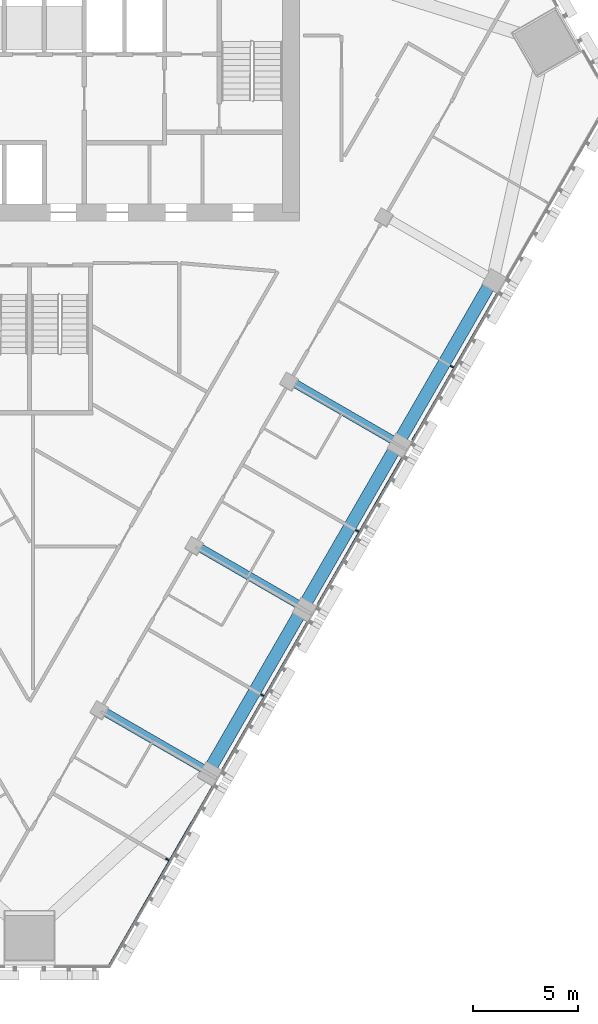
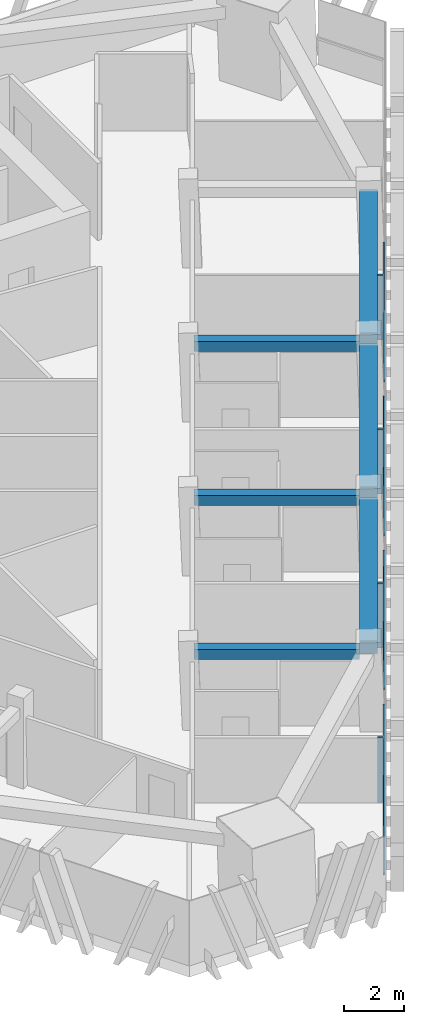
# One storey, part 4 of 16: 8 members, 6 beams, 1 element without a shape of its own.
"""IFC4 building model written with IfcOpenShell, lengths in metres."""

from ifc_helpers import new_model, si_unit, direction, frame, origin, origin_2d, place, context, subcontext, project, spatial, rectangle, extrude, material, layer, layer_set, material_profile, profile_set, type_object, element, aggregate, save


model = new_model("IFC4")

# Units and contexts
model_context = context("Model", 3, precision=1e-05, world=origin(), true_north=direction((0.0, 1.0)))
body_context = subcontext(model_context, "Body", "Model", "MODEL_VIEW")
ifc_project = project(units=[si_unit("LENGTHUNIT", "METRE"), si_unit("AREAUNIT", "SQUARE_METRE"), si_unit("VOLUMEUNIT", "CUBIC_METRE"), si_unit("PLANEANGLEUNIT", "RADIAN"), si_unit("MASSUNIT", "GRAM", prefix="KILO")], contexts=[model_context])

# Site, building, storey
site_placement = place(None, origin())
site = spatial("IfcSite", under=ifc_project, at=site_placement, CompositionType="ELEMENT")
building_placement = place(site_placement, origin())
building = spatial("IfcBuilding", under=site, at=building_placement, Name="Altiplano Prism Tower", CompositionType="ELEMENT")
storey_placement = place(building_placement, frame((0.0, 0.0, 138.60009765625)))
storey = spatial("IfcBuildingStorey", under=building, at=storey_placement, Name="L35", CompositionType="ELEMENT", Elevation=138.60009765625)

# Curtain wall, members
ifc_material_1 = material(Name="Aluminium and glass", Category="aluminium")
ifc_layer = layer(ifc_material_1, 0.280029296875)
ifc_layer_set = layer_set([ifc_layer], Name="Aluminium and glass")
curtain_wall_type = type_object("IfcCurtainWallType", Name="CW1 typical co-living unitised curtain wall", PredefinedType="NOTDEFINED", material=ifc_layer_set)
curtain_wall_placement = place(storey_placement, origin())
curtain_wall = element("IfcCurtainWall", 1, at=curtain_wall_placement, inside=storey, type_object=curtain_wall_type, Name="CW1 curtain wall south-east face L35", PredefinedType="NOTDEFINED")
ifc_material_2 = material(Name="Aluminium", Category="aluminium")
ifc_material_profile_1 = material_profile(ifc_material_2, rectangle(XDim=0.179931640625, YDim=0.06494140625, at=origin_2d()), Name="CW1 mullion 65 x 180")
ifc_profile_set_1 = profile_set([ifc_material_profile_1], Name="Aluminium")
member_type_1 = type_object("IfcMemberType", Name="CW1 mullion 65 x 180", PredefinedType="MULLION", material=ifc_profile_set_1)
member_1_placement = place(storey_placement, frame((91.542236328125, 62.301513671875, 0.0), z_axis=(0.0, 0.0, 1.0), x_axis=(-0.866025409553, 0.499999990009, 0.0)))
member_1 = element("IfcMember", 2, at=member_1_placement, type_object=member_type_1, Name="CW1 mullion", PredefinedType="MULLION", context=body_context, shape_type="SweptSolid", body=[
    extrude(rectangle(XDim=0.179931640625, YDim=0.06494140625, at=origin_2d()), origin(), (0.0, 0.0, 1.0), 2.64990234375),
])
member_2_placement = place(storey_placement, frame((96.042236328125, 70.095703125, 0.0), z_axis=(0.0, 0.0, 1.0), x_axis=(-0.866025409553, 0.499999990009, 0.0)))
member_2 = element("IfcMember", 3, at=member_2_placement, type_object=member_type_1, Name="CW1 mullion", PredefinedType="MULLION", context=body_context, shape_type="SweptSolid", body=[
    extrude(rectangle(XDim=0.179931640625, YDim=0.06494140625, at=origin_2d()), origin(), (0.0, 0.0, 1.0), 2.64990234375),
])
member_3_placement = place(storey_placement, frame((100.542236328125, 77.889892578125, 0.0), z_axis=(0.0, 0.0, 1.0), x_axis=(-0.866025409553, 0.499999990009, 0.0)))
member_3 = element("IfcMember", 4, at=member_3_placement, type_object=member_type_1, Name="CW1 mullion", PredefinedType="MULLION", context=body_context, shape_type="SweptSolid", body=[
    extrude(rectangle(XDim=0.179931640625, YDim=0.06494140625, at=origin_2d()), origin(), (0.0, 0.0, 1.0), 2.64990234375),
])
member_4_placement = place(storey_placement, frame((105.042236328125, 85.68408203125, 0.0), z_axis=(0.0, 0.0, 1.0), x_axis=(-0.866025409553, 0.499999990009, 0.0)))
member_4 = element("IfcMember", 5, at=member_4_placement, type_object=member_type_1, Name="CW1 mullion", PredefinedType="MULLION", context=body_context, shape_type="SweptSolid", body=[
    extrude(rectangle(XDim=0.179931640625, YDim=0.06494140625, at=origin_2d()), origin(), (0.0, 0.0, 1.0), 2.64990234375),
])
ifc_material_profile_2 = material_profile(ifc_material_2, rectangle(XDim=0.06005859375, YDim=0.080078125, at=origin_2d()), Name="CW1 transom 80 x 60")
ifc_profile_set_2 = profile_set([ifc_material_profile_2], Name="Aluminium")
member_type_2 = type_object("IfcMemberType", Name="CW1 transom 80 x 60", PredefinedType="USERDEFINED", material=ifc_profile_set_2)
member_5_placement = place(storey_placement, frame((88.746337890625, 57.21875, 1.099853515625), z_axis=(0.499994983316, 0.866028300149, 0.0), x_axis=(-0.866028300149, 0.499994983316, 0.0)))
member_5 = element("IfcMember", 6, at=member_5_placement, type_object=member_type_2, Name="CW1 transom", ObjectType="TRANSOM", PredefinedType="USERDEFINED", context=body_context, shape_type="SweptSolid", body=[
    extrude(rectangle(XDim=0.06005859375, YDim=0.080078125, at=origin_2d()), origin(), (0.0, 0.0, 1.0), 9.8740234375),
])
member_6_placement = place(storey_placement, frame((94.1484375, 66.575439453125, 1.099853515625), z_axis=(0.499994808408, 0.866028401131, 0.0), x_axis=(-0.866028401131, 0.499994808408, 0.0)))
member_6 = element("IfcMember", 7, at=member_6_placement, type_object=member_type_2, Name="CW1 transom", ObjectType="TRANSOM", PredefinedType="USERDEFINED", context=body_context, shape_type="SweptSolid", body=[
    extrude(rectangle(XDim=0.06005859375, YDim=0.080078125, at=origin_2d()), origin(), (0.0, 0.0, 1.0), 8.06982421875),
])
member_7_placement = place(storey_placement, frame((98.6484375, 74.36962890625, 1.099853515625), z_axis=(0.499994808408, 0.866028401131, 0.0), x_axis=(-0.866028401131, 0.499994808408, 0.0)))
member_7 = element("IfcMember", 8, at=member_7_placement, type_object=member_type_2, Name="CW1 transom", ObjectType="TRANSOM", PredefinedType="USERDEFINED", context=body_context, shape_type="SweptSolid", body=[
    extrude(rectangle(XDim=0.06005859375, YDim=0.080078125, at=origin_2d()), origin(), (0.0, 0.0, 1.0), 8.06982421875),
])
member_8_placement = place(storey_placement, frame((103.1484375, 82.1640625, 1.099853515625), z_axis=(0.500007908628, 0.866020837688, 0.0), x_axis=(-0.866020837688, 0.500007908628, 0.0)))
member_8 = element("IfcMember", 9, at=member_8_placement, type_object=member_type_2, Name="CW1 transom", ObjectType="TRANSOM", PredefinedType="USERDEFINED", context=body_context, shape_type="SweptSolid", body=[
    extrude(rectangle(XDim=0.06005859375, YDim=0.080078125, at=origin_2d()), origin(), (0.0, 0.0, 1.0), 8.069580078125),
])
aggregate(curtain_wall, [member_1, member_5, member_2, member_6, member_3, member_7, member_4, member_8])

# Beams
ifc_material_3 = material(Name="Concrete C60/75", Category="concrete")
ifc_material_profile_3 = material_profile(ifc_material_3, rectangle(XDim=0.60009765625, YDim=0.5, at=origin_2d()), Name="Edge beam 600x500")
ifc_profile_set_3 = profile_set([ifc_material_profile_3], Name="Concrete C60/75")
beam_type_1 = type_object("IfcBeamType", Name="Edge beam 600x500", PredefinedType="SPANDREL", material=ifc_profile_set_3)
for number, where, z_axis, x_axis, name in (
    (10, (93.6396484375, 66.731201171875, 2.89990234375), (0.499997845736, 0.866026647546, 0.0), (-0.866026647546, 0.499997845736, 0.0), "Edge beam P21-P22 L36"),
    (11, (98.1396484375, 74.525390625, 2.89990234375), (0.499997845736, 0.866026647546, 0.0), (-0.866026647546, 0.499997845736, 0.0), "Edge beam P22-P23 L36"),
):
    element("IfcBeam", number, at=place(storey_placement, frame(where, z_axis=z_axis, x_axis=x_axis)), inside=storey, type_object=beam_type_1, Name=name, PredefinedType="SPANDREL", context=body_context, shape_type="SweptSolid", body=[
        extrude(rectangle(XDim=0.60009765625, YDim=0.5, at=origin_2d()), origin(), (0.0, 0.0, 1.0), 8.39013671875),
    ])
beam_placement = place(storey_placement, frame((102.6396484375, 82.31982421875, 2.89990234375), z_axis=(0.500010445942, 0.866019372733, 0.0), x_axis=(-0.866019372733, 0.500010445942, 0.0)))
element("IfcBeam", 12, at=beam_placement, inside=storey, type_object=beam_type_1, Name="Edge beam P23-P24 L36", PredefinedType="SPANDREL", context=body_context, shape_type="SweptSolid", body=[
    extrude(rectangle(XDim=0.60009765625, YDim=0.5, at=origin_2d()), origin(), (0.0, 0.0, 1.0), 8.389892578125),
])
ifc_material_profile_4 = material_profile(ifc_material_3, rectangle(XDim=0.39990234375, YDim=0.39990234375, at=origin_2d()), Name="Tie beam 400x400")
ifc_profile_set_4 = profile_set([ifc_material_profile_4], Name="Concrete C60/75")
beam_type_2 = type_object("IfcBeamType", Name="Tie beam 400x400", PredefinedType="BEAM", material=ifc_profile_set_4)
for number, where, z_axis, x_axis, name in (
    (13, (88.42529296875, 69.3896484375, 2.949951171875), (0.866016055733, -0.50001619095, 0.0), (0.50001619095, 0.866016055733, 0.0), "Tie beam I21 L36"),
    (14, (92.92529296875, 77.183837890625, 2.949951171875), (0.866016055733, -0.50001619095, 0.0), (0.50001619095, 0.866016055733, 0.0), "Tie beam I22 L36"),
    (15, (97.42529296875, 84.97802734375, 2.949951171875), (0.866016055733, -0.50001619095, 0.0), (0.50001619095, 0.866016055733, 0.0), "Tie beam I23 L36"),
):
    element("IfcBeam", number, at=place(storey_placement, frame(where, z_axis=z_axis, x_axis=x_axis)), inside=storey, type_object=beam_type_2, Name=name, PredefinedType="BEAM", context=body_context, shape_type="SweptSolid", body=[
        extrude(rectangle(XDim=0.39990234375, YDim=0.39990234375, at=origin_2d()), origin(), (0.0, 0.0, 1.0), 5.539794921875),
    ])

save(model, "model.ifc")
